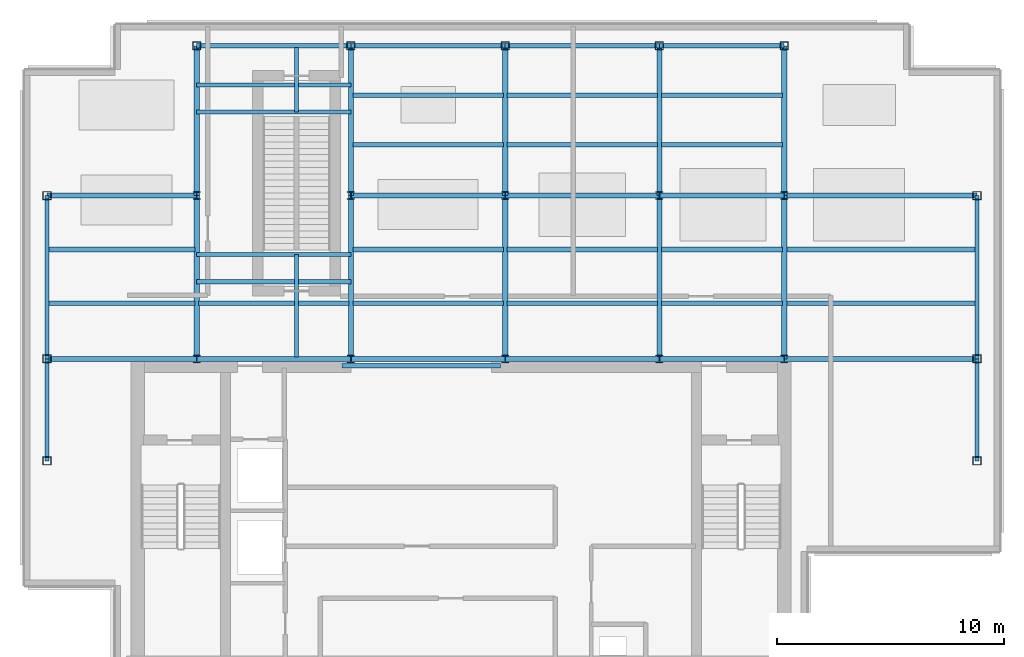
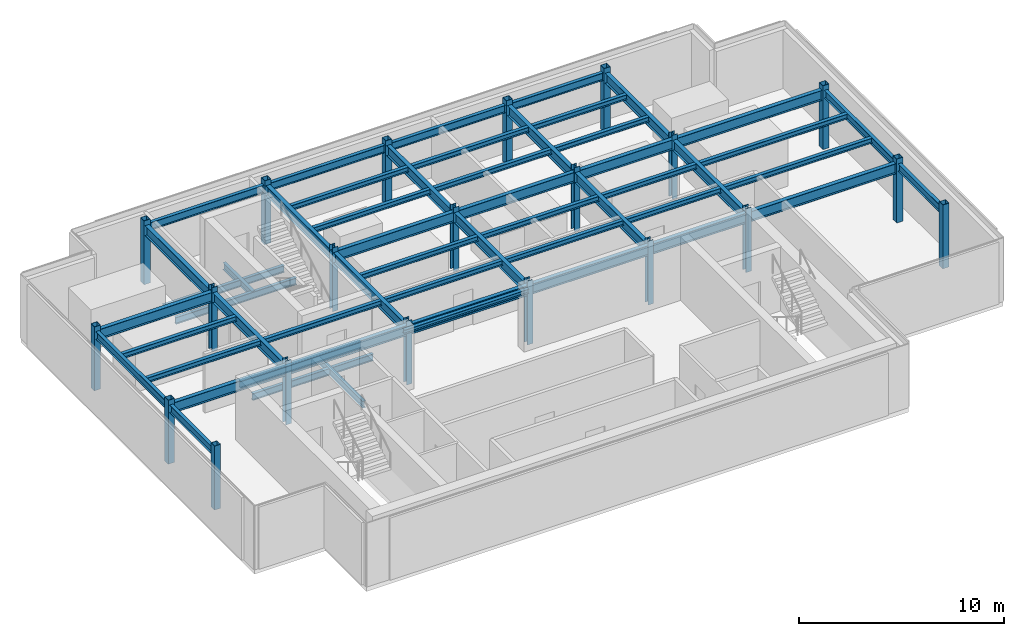
# One storey, part 1 of 7: 53 beams, 21 columns.
"""IFC4 building model written with IfcOpenShell, lengths in metres."""

from ifc_helpers import new_model, si_unit, derived_unit, direction, frame, origin, origin_2d, place, context, subcontext, project, spatial, hollow_rectangle, i_section, extrude, source, transform, mapped, material, material_profile, profile_set, type_object, element, save


model = new_model("IFC4")

# Units and contexts
model_context = context("Model", 3, precision=1e-05, world=origin(), true_north=direction((0.0, 1.0)))
body_context = subcontext(model_context, "Body", "Model", "MODEL_VIEW")
ifc_project = project(units=[si_unit("LENGTHUNIT", "METRE"), si_unit("AREAUNIT", "SQUARE_METRE"), si_unit("VOLUMEUNIT", "CUBIC_METRE"), si_unit("PLANEANGLEUNIT", "RADIAN"), si_unit("MASSUNIT", "GRAM", prefix="KILO"), derived_unit("THERMALTRANSMITTANCEUNIT", [(si_unit("POWERUNIT", "WATT"), 1), (si_unit("LENGTHUNIT", "METRE"), -2), (si_unit("THERMODYNAMICTEMPERATUREUNIT", "KELVIN"), -1)])], contexts=[model_context])

# Site, building, storey
site_placement = place(None, origin())
site = spatial("IfcSite", under=ifc_project, at=site_placement, CompositionType="ELEMENT")
building_placement = place(site_placement, origin())
building = spatial("IfcBuilding", under=site, at=building_placement, Name="Skarnbrae Concourse Arena and Tower", CompositionType="ELEMENT")
storey_placement = place(building_placement, frame((0.0, 0.0, 296.050048828125)))
storey = spatial("IfcBuildingStorey", under=building, at=storey_placement, Name="L77", CompositionType="ELEMENT", Elevation=296.050048828125)

# Columns
ifc_material = material(Name="Steel CSA G40.21 350W", Category="steel")
ifc_material_profile_1 = material_profile(ifc_material, hollow_rectangle(XDim=0.355712890625, YDim=0.355712890625, WallThickness=0.01904296875, at=origin_2d()), Name="HSS356X356X19.0")
ifc_profile_set_1 = profile_set([ifc_material_profile_1], Name="Steel CSA G40.21 350W")
column_type_1 = type_object("IfcColumnType", Name="COL-CROWN-HSS356", PredefinedType="COLUMN", material=ifc_profile_set_1)
shared_shape_1 = source(origin(), body_context, "Body", "SweptSolid", [
    extrude(hollow_rectangle(XDim=0.355712890625, YDim=0.355712890625, WallThickness=0.01904296875, at=origin_2d()), origin(), (0.0, 0.0, 1.0), 3.800048828125),
])
for number, where, z_axis, x_axis, name in (
    (1, (1.0, 9.5, 0.0), (0.0, 0.0, 1.0), (1.0, 0.0, 0.0), "L77 Tower column PC_01_01"),
    (2, (1.0, 14.0, 0.0), (0.0, 0.0, 1.0), (1.0, 0.0, 0.0), "L77 Tower column PC_01_02"),
    (3, (1.0, 21.199951171875, 0.0), (0.0, 0.0, 1.0), (1.0, 0.0, 0.0), "L77 Tower column PC_01_03"),
    (4, (7.60009765625, 27.800048828125, 0.0), (0.0, 0.0, 1.0), (1.0, 0.0, 0.0), "L77 Tower column PC_02_04"),
    (5, (14.39990234375, 27.800048828125, 0.0), (0.0, 0.0, 1.0), (1.0, 0.0, 0.0), "L77 Tower column PC_03_04"),
    (6, (21.199951171875, 27.800048828125, 0.0), (0.0, 0.0, 1.0), (1.0, 0.0, 0.0), "L77 Tower column PC_04_04"),
    (7, (28.0, 27.800048828125, 0.0), (0.0, 0.0, 1.0), (1.0, 0.0, 0.0), "L77 Tower column PC_05_04"),
    (8, (33.5, 27.800048828125, 0.0), (0.0, 0.0, 1.0), (1.0, 0.0, 0.0), "L77 Tower column PC_06_04"),
    (9, (42.0, 9.5, 0.0), (0.0, 0.0, 1.0), (1.0, 0.0, 0.0), "L77 Tower column PC_07_01"),
    (10, (42.0, 14.0, 0.0), (0.0, 0.0, 1.0), (1.0, 0.0, 0.0), "L77 Tower column PC_07_02"),
    (11, (42.0, 21.199951171875, 0.0), (0.0, 0.0, 1.0), (1.0, 0.0, 0.0), "L77 Tower column PC_07_03"),
):
    element("IfcColumn", number, at=place(storey_placement, frame(where, z_axis=z_axis, x_axis=x_axis)), inside=storey, type_object=column_type_1, Name=name, PredefinedType="COLUMN", context=body_context, shape_type="MappedRepresentation", body=[
        mapped(shared_shape_1, transform((0.0, 0.0, 0.0))),
    ])
ifc_material_profile_2 = material_profile(ifc_material, i_section(OverallWidth=0.30908203125, OverallDepth=0.322998046875, WebThickness=0.013916015625, FlangeThickness=0.02294921875, at=origin_2d()), Name="W310X143")
ifc_profile_set_2 = profile_set([ifc_material_profile_2], Name="Steel CSA G40.21 350W")
column_type_2 = type_object("IfcColumnType", Name="COL-INT-W310X143", PredefinedType="COLUMN", material=ifc_profile_set_2)
shared_shape_2 = source(origin(), body_context, "Body", "SweptSolid", [
    extrude(i_section(OverallWidth=0.30908203125, OverallDepth=0.322998046875, WebThickness=0.013916015625, FlangeThickness=0.02294921875, at=origin_2d()), origin(), (0.0, 0.0, 1.0), 3.800048828125),
])
for number, where, z_axis, x_axis, name in (
    (12, (7.60009765625, 14.0, 0.0), (0.0, 0.0, 1.0), (1.0, 0.0, 0.0), "L77 Tower column IC_02_02"),
    (13, (7.60009765625, 21.199951171875, 0.0), (0.0, 0.0, 1.0), (1.0, 0.0, 0.0), "L77 Tower column IC_02_03"),
    (14, (14.39990234375, 14.0, 0.0), (0.0, 0.0, 1.0), (1.0, 0.0, 0.0), "L77 Tower column IC_03_02"),
    (15, (14.39990234375, 21.199951171875, 0.0), (0.0, 0.0, 1.0), (1.0, 0.0, 0.0), "L77 Tower column IC_03_03"),
    (16, (21.199951171875, 14.0, 0.0), (0.0, 0.0, 1.0), (1.0, 0.0, 0.0), "L77 Tower column IC_04_02"),
    (17, (21.199951171875, 21.199951171875, 0.0), (0.0, 0.0, 1.0), (1.0, 0.0, 0.0), "L77 Tower column IC_04_03"),
    (18, (28.0, 14.0, 0.0), (0.0, 0.0, 1.0), (1.0, 0.0, 0.0), "L77 Tower column IC_05_02"),
    (19, (28.0, 21.199951171875, 0.0), (0.0, 0.0, 1.0), (1.0, 0.0, 0.0), "L77 Tower column IC_05_03"),
    (20, (33.5, 14.0, 0.0), (0.0, 0.0, 1.0), (1.0, 0.0, 0.0), "L77 Tower column IC_06_02"),
    (21, (33.5, 21.199951171875, 0.0), (0.0, 0.0, 1.0), (1.0, 0.0, 0.0), "L77 Tower column IC_06_03"),
):
    element("IfcColumn", number, at=place(storey_placement, frame(where, z_axis=z_axis, x_axis=x_axis)), inside=storey, type_object=column_type_2, Name=name, PredefinedType="COLUMN", context=body_context, shape_type="MappedRepresentation", body=[
        mapped(shared_shape_2, transform((0.0, 0.0, 0.0))),
    ])

# Beams
ifc_material_profile_3 = material_profile(ifc_material, i_section(OverallWidth=0.202880859375, OverallDepth=0.251953125, WebThickness=0.008056640625, FlangeThickness=0.013427734375, at=origin_2d()), Name="W250X58")
ifc_profile_set_3 = profile_set([ifc_material_profile_3], Name="Steel CSA G40.21 350W")
beam_type_1 = type_object("IfcBeamType", Name="BM-LINTEL-W250X58", PredefinedType="LINTEL", material=ifc_profile_set_3)
shared_shape_3 = source(origin(), body_context, "Body", "SweptSolid", [
    extrude(i_section(OverallWidth=0.202880859375, OverallDepth=0.251953125, WebThickness=0.008056640625, FlangeThickness=0.013427734375, at=origin_2d()), origin(), (0.0, 0.0, 1.0), 7.0),
])
beam_1_placement = place(storey_placement, frame((14.0, 13.699951171875, 3.3740234375), z_axis=(1.0, 0.0, 0.0), x_axis=(0.0, 1.0, 0.0)))
element("IfcBeam", 22, at=beam_1_placement, inside=storey, type_object=beam_type_1, Name="L77 Core portal coupling lintel", PredefinedType="LINTEL", context=body_context, shape_type="MappedRepresentation", body=[
    mapped(shared_shape_3, transform((0.0, 0.0, 0.0))),
])
ifc_material_profile_4 = material_profile(ifc_material, i_section(OverallWidth=0.22802734375, OverallDepth=0.60791015625, WebThickness=0.01123046875, FlangeThickness=0.017333984375, at=origin_2d()), Name="W610X113")
ifc_profile_set_4 = profile_set([ifc_material_profile_4], Name="Steel CSA G40.21 350W")
beam_type_2 = type_object("IfcBeamType", Name="BM-GIRD-W610X113", PredefinedType="BEAM", material=ifc_profile_set_4)
shared_shape_4 = source(origin(), body_context, "Body", "SweptSolid", [
    extrude(i_section(OverallWidth=0.22802734375, OverallDepth=0.60791015625, WebThickness=0.01123046875, FlangeThickness=0.017333984375, at=origin_2d()), origin(), (0.0, 0.0, 1.0), 6.60009765625),
])
for number, where, z_axis, x_axis, name in (
    (23, (1.0, 14.0, 3.196044921875), (1.0, 0.0, 0.0), (0.0, 1.0, 0.0), "L77 Primary E-W girder Y14.0-1"),
    (24, (1.0, 21.199951171875, 3.196044921875), (1.0, 0.0, 0.0), (0.0, 1.0, 0.0), "L77 Primary E-W girder Y21.2-1"),
    (25, (7.60009765625, 21.199951171875, 3.196044921875), (0.0, 1.0, 0.0), (-1.0, 0.0, 0.0), "L77 Primary N-S girder X7.6-2"),
    (26, (14.39990234375, 21.199951171875, 3.196044921875), (0.0, 1.0, 0.0), (-1.0, 0.0, 0.0), "L77 Primary N-S girder X14.4-2"),
    (27, (21.199951171875, 21.199951171875, 3.196044921875), (0.0, 1.0, 0.0), (-1.0, 0.0, 0.0), "L77 Primary N-S girder X21.2-2"),
    (28, (28.0, 21.199951171875, 3.196044921875), (0.0, 1.0, 0.0), (-1.0, 0.0, 0.0), "L77 Primary N-S girder X28.0-2"),
    (29, (33.5, 21.199951171875, 3.196044921875), (0.0, 1.0, 0.0), (-1.0, 0.0, 0.0), "L77 Primary N-S girder X33.5-2"),
):
    element("IfcBeam", number, at=place(storey_placement, frame(where, z_axis=z_axis, x_axis=x_axis)), inside=storey, type_object=beam_type_2, Name=name, PredefinedType="BEAM", context=body_context, shape_type="MappedRepresentation", body=[
        mapped(shared_shape_4, transform((0.0, 0.0, 0.0))),
    ])
shared_shape_5 = source(origin(), body_context, "Body", "SweptSolid", [
    extrude(i_section(OverallWidth=0.22802734375, OverallDepth=0.60791015625, WebThickness=0.01123046875, FlangeThickness=0.017333984375, at=origin_2d()), origin(), (0.0, 0.0, 1.0), 6.7998046875),
])
beam_2_placement = place(storey_placement, frame((7.60009765625, 14.0, 3.196044921875), z_axis=(1.0, 0.0, 0.0), x_axis=(0.0, 1.0, 0.0)))
element("IfcBeam", 30, at=beam_2_placement, inside=storey, type_object=beam_type_2, Name="L77 Primary E-W girder Y14.0-2", PredefinedType="BEAM", context=body_context, shape_type="MappedRepresentation", body=[
    mapped(shared_shape_5, transform((0.0, 0.0, 0.0))),
])
shared_shape_6 = source(origin(), body_context, "Body", "SweptSolid", [
    extrude(i_section(OverallWidth=0.22802734375, OverallDepth=0.60791015625, WebThickness=0.01123046875, FlangeThickness=0.017333984375, at=origin_2d()), origin(), (0.0, 0.0, 1.0), 6.800048828125),
])
for number, where, z_axis, x_axis, name in (
    (31, (14.39990234375, 14.0, 3.196044921875), (1.0, 0.0, 0.0), (0.0, 1.0, 0.0), "L77 Primary E-W girder Y14.0-3"),
    (32, (21.199951171875, 14.0, 3.196044921875), (1.0, 0.0, 0.0), (0.0, 1.0, 0.0), "L77 Primary E-W girder Y14.0-4"),
    (33, (14.39990234375, 21.199951171875, 3.196044921875), (1.0, 0.0, 0.0), (0.0, 1.0, 0.0), "L77 Primary E-W girder Y21.2-3"),
    (34, (21.199951171875, 21.199951171875, 3.196044921875), (1.0, 0.0, 0.0), (0.0, 1.0, 0.0), "L77 Primary E-W girder Y21.2-4"),
):
    element("IfcBeam", number, at=place(storey_placement, frame(where, z_axis=z_axis, x_axis=x_axis)), inside=storey, type_object=beam_type_2, Name=name, PredefinedType="BEAM", context=body_context, shape_type="MappedRepresentation", body=[
        mapped(shared_shape_6, transform((0.0, 0.0, 0.0))),
    ])
shared_shape_7 = source(origin(), body_context, "Body", "SweptSolid", [
    extrude(i_section(OverallWidth=0.22802734375, OverallDepth=0.60791015625, WebThickness=0.01123046875, FlangeThickness=0.017333984375, at=origin_2d()), origin(), (0.0, 0.0, 1.0), 5.5),
])
for number, where, z_axis, x_axis, name in (
    (35, (28.0, 14.0, 3.196044921875), (1.0, 0.0, 0.0), (0.0, 1.0, 0.0), "L77 Primary E-W girder Y14.0-5"),
    (36, (28.0, 21.199951171875, 3.196044921875), (1.0, 0.0, 0.0), (0.0, 1.0, 0.0), "L77 Primary E-W girder Y21.2-5"),
):
    element("IfcBeam", number, at=place(storey_placement, frame(where, z_axis=z_axis, x_axis=x_axis)), inside=storey, type_object=beam_type_2, Name=name, PredefinedType="BEAM", context=body_context, shape_type="MappedRepresentation", body=[
        mapped(shared_shape_7, transform((0.0, 0.0, 0.0))),
    ])
shared_shape_8 = source(origin(), body_context, "Body", "SweptSolid", [
    extrude(i_section(OverallWidth=0.22802734375, OverallDepth=0.60791015625, WebThickness=0.01123046875, FlangeThickness=0.017333984375, at=origin_2d()), origin(), (0.0, 0.0, 1.0), 8.5),
])
for number, where, z_axis, x_axis, name in (
    (37, (33.5, 14.0, 3.196044921875), (1.0, 0.0, 0.0), (0.0, 1.0, 0.0), "L77 Primary E-W girder Y14.0-6"),
    (38, (33.5, 21.199951171875, 3.196044921875), (1.0, 0.0, 0.0), (0.0, 1.0, 0.0), "L77 Primary E-W girder Y21.2-6"),
):
    element("IfcBeam", number, at=place(storey_placement, frame(where, z_axis=z_axis, x_axis=x_axis)), inside=storey, type_object=beam_type_2, Name=name, PredefinedType="BEAM", context=body_context, shape_type="MappedRepresentation", body=[
        mapped(shared_shape_8, transform((0.0, 0.0, 0.0))),
    ])
ifc_material_profile_5 = material_profile(ifc_material, i_section(OverallWidth=0.19091796875, OverallDepth=0.4599609375, WebThickness=0.010009765625, FlangeThickness=0.01611328125, at=origin_2d()), Name="W460X82")
ifc_profile_set_5 = profile_set([ifc_material_profile_5], Name="Steel CSA G40.21 350W")
beam_type_3 = type_object("IfcBeamType", Name="BM-SPAN-W460X82", PredefinedType="SPANDREL", material=ifc_profile_set_5)
shared_shape_9 = source(origin(), body_context, "Body", "SweptSolid", [
    extrude(i_section(OverallWidth=0.19091796875, OverallDepth=0.4599609375, WebThickness=0.010009765625, FlangeThickness=0.01611328125, at=origin_2d()), origin(), (0.0, 0.0, 1.0), 6.7998046875),
])
beam_3_placement = place(storey_placement, frame((7.60009765625, 27.800048828125, 3.27001953125), z_axis=(1.0, 0.0, 0.0), x_axis=(0.0, 1.0, 0.0)))
element("IfcBeam", 39, at=beam_3_placement, inside=storey, type_object=beam_type_3, Name="L77 Perimeter spandrel Y27.8-1", PredefinedType="SPANDREL", context=body_context, shape_type="MappedRepresentation", body=[
    mapped(shared_shape_9, transform((0.0, 0.0, 0.0))),
])
shared_shape_10 = source(origin(), body_context, "Body", "SweptSolid", [
    extrude(i_section(OverallWidth=0.19091796875, OverallDepth=0.4599609375, WebThickness=0.010009765625, FlangeThickness=0.01611328125, at=origin_2d()), origin(), (0.0, 0.0, 1.0), 6.800048828125),
])
for number, where, z_axis, x_axis, name in (
    (40, (14.39990234375, 27.800048828125, 3.27001953125), (1.0, 0.0, 0.0), (0.0, 1.0, 0.0), "L77 Perimeter spandrel Y27.8-2"),
    (41, (21.199951171875, 27.800048828125, 3.27001953125), (1.0, 0.0, 0.0), (0.0, 1.0, 0.0), "L77 Perimeter spandrel Y27.8-3"),
):
    element("IfcBeam", number, at=place(storey_placement, frame(where, z_axis=z_axis, x_axis=x_axis)), inside=storey, type_object=beam_type_3, Name=name, PredefinedType="SPANDREL", context=body_context, shape_type="MappedRepresentation", body=[
        mapped(shared_shape_10, transform((0.0, 0.0, 0.0))),
    ])
shared_shape_11 = source(origin(), body_context, "Body", "SweptSolid", [
    extrude(i_section(OverallWidth=0.19091796875, OverallDepth=0.4599609375, WebThickness=0.010009765625, FlangeThickness=0.01611328125, at=origin_2d()), origin(), (0.0, 0.0, 1.0), 5.5),
])
beam_4_placement = place(storey_placement, frame((28.0, 27.800048828125, 3.27001953125), z_axis=(1.0, 0.0, 0.0), x_axis=(0.0, 1.0, 0.0)))
element("IfcBeam", 42, at=beam_4_placement, inside=storey, type_object=beam_type_3, Name="L77 Perimeter spandrel Y27.8-4", PredefinedType="SPANDREL", context=body_context, shape_type="MappedRepresentation", body=[
    mapped(shared_shape_11, transform((0.0, 0.0, 0.0))),
])
shared_shape_12 = source(origin(), body_context, "Body", "SweptSolid", [
    extrude(i_section(OverallWidth=0.19091796875, OverallDepth=0.4599609375, WebThickness=0.010009765625, FlangeThickness=0.01611328125, at=origin_2d()), origin(), (0.0, 0.0, 1.0), 4.5),
])
for number, where, z_axis, x_axis, name in (
    (43, (1.0, 9.5, 3.27001953125), (0.0, 1.0, 0.0), (-1.0, 0.0, 0.0), "L77 Perimeter spandrel X1.0-1"),
    (44, (42.0, 9.5, 3.27001953125), (0.0, 1.0, 0.0), (-1.0, 0.0, 0.0), "L77 Perimeter spandrel X42.0-1"),
):
    element("IfcBeam", number, at=place(storey_placement, frame(where, z_axis=z_axis, x_axis=x_axis)), inside=storey, type_object=beam_type_3, Name=name, PredefinedType="SPANDREL", context=body_context, shape_type="MappedRepresentation", body=[
        mapped(shared_shape_12, transform((0.0, 0.0, 0.0))),
    ])
shared_shape_13 = source(origin(), body_context, "Body", "SweptSolid", [
    extrude(i_section(OverallWidth=0.19091796875, OverallDepth=0.4599609375, WebThickness=0.010009765625, FlangeThickness=0.01611328125, at=origin_2d()), origin(), (0.0, 0.0, 1.0), 7.199951171875),
])
for number, where, z_axis, x_axis, name in (
    (45, (1.0, 14.0, 3.27001953125), (0.0, 1.0, 0.0), (-1.0, 0.0, 0.0), "L77 Perimeter spandrel X1.0-2"),
    (46, (42.0, 14.0, 3.27001953125), (0.0, 1.0, 0.0), (-1.0, 0.0, 0.0), "L77 Perimeter spandrel X42.0-2"),
):
    element("IfcBeam", number, at=place(storey_placement, frame(where, z_axis=z_axis, x_axis=x_axis)), inside=storey, type_object=beam_type_3, Name=name, PredefinedType="SPANDREL", context=body_context, shape_type="MappedRepresentation", body=[
        mapped(shared_shape_13, transform((0.0, 0.0, 0.0))),
    ])
shared_shape_14 = source(origin(), body_context, "Body", "SweptSolid", [
    extrude(i_section(OverallWidth=0.22802734375, OverallDepth=0.60791015625, WebThickness=0.01123046875, FlangeThickness=0.017333984375, at=origin_2d()), origin(), (0.0, 0.0, 1.0), 7.199951171875),
])
for number, where, z_axis, x_axis, name in (
    (47, (7.60009765625, 14.0, 3.196044921875), (0.0, 1.0, 0.0), (-1.0, 0.0, 0.0), "L77 Primary N-S girder X7.6-1"),
    (48, (14.39990234375, 14.0, 3.196044921875), (0.0, 1.0, 0.0), (-1.0, 0.0, 0.0), "L77 Primary N-S girder X14.4-1"),
    (49, (21.199951171875, 14.0, 3.196044921875), (0.0, 1.0, 0.0), (-1.0, 0.0, 0.0), "L77 Primary N-S girder X21.2-1"),
    (50, (28.0, 14.0, 3.196044921875), (0.0, 1.0, 0.0), (-1.0, 0.0, 0.0), "L77 Primary N-S girder X28.0-1"),
    (51, (33.5, 14.0, 3.196044921875), (0.0, 1.0, 0.0), (-1.0, 0.0, 0.0), "L77 Primary N-S girder X33.5-1"),
):
    element("IfcBeam", number, at=place(storey_placement, frame(where, z_axis=z_axis, x_axis=x_axis)), inside=storey, type_object=beam_type_2, Name=name, PredefinedType="BEAM", context=body_context, shape_type="MappedRepresentation", body=[
        mapped(shared_shape_14, transform((0.0, 0.0, 0.0))),
    ])
ifc_material_profile_6 = material_profile(ifc_material, i_section(OverallWidth=0.202880859375, OverallDepth=0.302978515625, WebThickness=0.007568359375, FlangeThickness=0.01318359375, at=origin_2d()), Name="W310X60")
ifc_profile_set_6 = profile_set([ifc_material_profile_6], Name="Steel CSA G40.21 350W")
beam_type_4 = type_object("IfcBeamType", Name="BM-JOIST-W310X60", PredefinedType="JOIST", material=ifc_profile_set_6)
shared_shape_15 = source(origin(), body_context, "Body", "SweptSolid", [
    extrude(i_section(OverallWidth=0.202880859375, OverallDepth=0.302978515625, WebThickness=0.007568359375, FlangeThickness=0.01318359375, at=origin_2d()), origin(), (0.0, 0.0, 1.0), 6.43994140625),
])
for number, where, z_axis, x_axis, name in (
    (52, (1.080078125, 16.447998046875, 3.348388671875), (1.0, 0.0, 0.0), (0.0, 1.0, 0.0), "L77 Secondary floor joist 1.1.1"),
    (53, (1.080078125, 18.823974609375, 3.348388671875), (1.0, 0.0, 0.0), (0.0, 1.0, 0.0), "L77 Secondary floor joist 1.2.1"),
):
    element("IfcBeam", number, at=place(storey_placement, frame(where, z_axis=z_axis, x_axis=x_axis)), inside=storey, type_object=beam_type_4, Name=name, PredefinedType="JOIST", context=body_context, shape_type="MappedRepresentation", body=[
        mapped(shared_shape_15, transform((0.0, 0.0, 0.0))),
    ])
shared_shape_16 = source(origin(), body_context, "Body", "SweptSolid", [
    extrude(i_section(OverallWidth=0.202880859375, OverallDepth=0.302978515625, WebThickness=0.007568359375, FlangeThickness=0.01318359375, at=origin_2d()), origin(), (0.0, 0.0, 1.0), 6.64013671875),
])
for number, where, z_axis, x_axis, name in (
    (54, (7.679931640625, 16.447998046875, 3.348388671875), (1.0, 0.0, 0.0), (0.0, 1.0, 0.0), "L77 Secondary floor joist 1.1.2"),
    (55, (14.47998046875, 16.447998046875, 3.348388671875), (1.0, 0.0, 0.0), (0.0, 1.0, 0.0), "L77 Secondary floor joist 1.1.3"),
    (56, (14.47998046875, 18.823974609375, 3.348388671875), (1.0, 0.0, 0.0), (0.0, 1.0, 0.0), "L77 Secondary floor joist 1.2.3"),
    (57, (14.47998046875, 23.444091796875, 3.348388671875), (1.0, 0.0, 0.0), (0.0, 1.0, 0.0), "L77 Secondary floor joist 2.1.2"),
    (58, (14.47998046875, 25.6220703125, 3.348388671875), (1.0, 0.0, 0.0), (0.0, 1.0, 0.0), "L77 Secondary floor joist 2.2.2"),
):
    element("IfcBeam", number, at=place(storey_placement, frame(where, z_axis=z_axis, x_axis=x_axis)), inside=storey, type_object=beam_type_4, Name=name, PredefinedType="JOIST", context=body_context, shape_type="MappedRepresentation", body=[
        mapped(shared_shape_16, transform((0.0, 0.0, 0.0))),
    ])
shared_shape_17 = source(origin(), body_context, "Body", "SweptSolid", [
    extrude(i_section(OverallWidth=0.202880859375, OverallDepth=0.302978515625, WebThickness=0.007568359375, FlangeThickness=0.01318359375, at=origin_2d()), origin(), (0.0, 0.0, 1.0), 6.639892578125),
])
for number, where, z_axis, x_axis, name in (
    (59, (21.280029296875, 16.447998046875, 3.348388671875), (1.0, 0.0, 0.0), (0.0, 1.0, 0.0), "L77 Secondary floor joist 1.1.4"),
    (60, (21.280029296875, 18.823974609375, 3.348388671875), (1.0, 0.0, 0.0), (0.0, 1.0, 0.0), "L77 Secondary floor joist 1.2.4"),
    (61, (21.280029296875, 23.444091796875, 3.348388671875), (1.0, 0.0, 0.0), (0.0, 1.0, 0.0), "L77 Secondary floor joist 2.1.3"),
    (62, (21.280029296875, 25.6220703125, 3.348388671875), (1.0, 0.0, 0.0), (0.0, 1.0, 0.0), "L77 Secondary floor joist 2.2.3"),
):
    element("IfcBeam", number, at=place(storey_placement, frame(where, z_axis=z_axis, x_axis=x_axis)), inside=storey, type_object=beam_type_4, Name=name, PredefinedType="JOIST", context=body_context, shape_type="MappedRepresentation", body=[
        mapped(shared_shape_17, transform((0.0, 0.0, 0.0))),
    ])
shared_shape_18 = source(origin(), body_context, "Body", "SweptSolid", [
    extrude(i_section(OverallWidth=0.202880859375, OverallDepth=0.302978515625, WebThickness=0.007568359375, FlangeThickness=0.01318359375, at=origin_2d()), origin(), (0.0, 0.0, 1.0), 5.33984375),
])
for number, where, z_axis, x_axis, name in (
    (63, (28.080078125, 16.447998046875, 3.348388671875), (1.0, 0.0, 0.0), (0.0, 1.0, 0.0), "L77 Secondary floor joist 1.1.5"),
    (64, (28.080078125, 18.823974609375, 3.348388671875), (1.0, 0.0, 0.0), (0.0, 1.0, 0.0), "L77 Secondary floor joist 1.2.5"),
    (65, (28.080078125, 23.444091796875, 3.348388671875), (1.0, 0.0, 0.0), (0.0, 1.0, 0.0), "L77 Secondary floor joist 2.1.4"),
    (66, (28.080078125, 25.6220703125, 3.348388671875), (1.0, 0.0, 0.0), (0.0, 1.0, 0.0), "L77 Secondary floor joist 2.2.4"),
):
    element("IfcBeam", number, at=place(storey_placement, frame(where, z_axis=z_axis, x_axis=x_axis)), inside=storey, type_object=beam_type_4, Name=name, PredefinedType="JOIST", context=body_context, shape_type="MappedRepresentation", body=[
        mapped(shared_shape_18, transform((0.0, 0.0, 0.0))),
    ])
shared_shape_19 = source(origin(), body_context, "Body", "SweptSolid", [
    extrude(i_section(OverallWidth=0.202880859375, OverallDepth=0.302978515625, WebThickness=0.007568359375, FlangeThickness=0.01318359375, at=origin_2d()), origin(), (0.0, 0.0, 1.0), 8.33984375),
])
for number, where, z_axis, x_axis, name in (
    (67, (33.580078125, 16.447998046875, 3.348388671875), (1.0, 0.0, 0.0), (0.0, 1.0, 0.0), "L77 Secondary floor joist 1.1.6"),
    (68, (33.580078125, 18.823974609375, 3.348388671875), (1.0, 0.0, 0.0), (0.0, 1.0, 0.0), "L77 Secondary floor joist 1.2.6"),
):
    element("IfcBeam", number, at=place(storey_placement, frame(where, z_axis=z_axis, x_axis=x_axis)), inside=storey, type_object=beam_type_4, Name=name, PredefinedType="JOIST", context=body_context, shape_type="MappedRepresentation", body=[
        mapped(shared_shape_19, transform((0.0, 0.0, 0.0))),
    ])
ifc_material_profile_7 = material_profile(ifc_material, i_section(OverallWidth=0.177978515625, OverallDepth=0.406982421875, WebThickness=0.0078125, FlangeThickness=0.0126953125, at=origin_2d()), Name="W410X60")
ifc_profile_set_7 = profile_set([ifc_material_profile_7], Name="Steel CSA G40.21 350W")
beam_type_5 = type_object("IfcBeamType", Name="BM-JOIST-W410X60", PredefinedType="JOIST", material=ifc_profile_set_7)
shared_shape_20 = source(origin(), body_context, "Body", "SweptSolid", [
    extrude(i_section(OverallWidth=0.177978515625, OverallDepth=0.406982421875, WebThickness=0.0078125, FlangeThickness=0.0126953125, at=origin_2d()), origin(), (0.0, 0.0, 1.0), 6.7998046875),
])
for number, where, z_axis, x_axis, name in (
    (69, (7.60009765625, 17.39990234375, -0.50146484375), (1.0, 0.0, 0.0), (0.0, 1.0, 0.0), "L77 Crown stair ST-CRWN E-W framing beam 1"),
    (70, (7.60009765625, 18.60009765625, -0.50146484375), (1.0, 0.0, 0.0), (0.0, 1.0, 0.0), "L77 Crown stair ST-CRWN E-W framing beam 2"),
    (71, (7.60009765625, 24.8798828125, -0.50146484375), (1.0, 0.0, 0.0), (0.0, 1.0, 0.0), "L77 Crown stair ST-CRWN E-W framing beam 3"),
    (72, (7.60009765625, 26.080078125, -0.50146484375), (1.0, 0.0, 0.0), (0.0, 1.0, 0.0), "L77 Crown stair ST-CRWN E-W framing beam 4"),
):
    element("IfcBeam", number, at=place(storey_placement, frame(where, z_axis=z_axis, x_axis=x_axis)), inside=storey, type_object=beam_type_5, Name=name, PredefinedType="JOIST", context=body_context, shape_type="MappedRepresentation", body=[
        mapped(shared_shape_20, transform((0.0, 0.0, 0.0))),
    ])
shared_shape_21 = source(origin(), body_context, "Body", "SweptSolid", [
    extrude(i_section(OverallWidth=0.177978515625, OverallDepth=0.406982421875, WebThickness=0.0078125, FlangeThickness=0.0126953125, at=origin_2d()), origin(), (0.0, 0.0, 1.0), 4.52001953125),
])
beam_5_placement = place(storey_placement, frame((12.0, 14.080078125, -0.50146484375), z_axis=(0.0, 1.0, 0.0), x_axis=(-1.0, 0.0, 0.0)))
element("IfcBeam", 73, at=beam_5_placement, inside=storey, type_object=beam_type_5, Name="L77 Crown stair ST-CRWN N-S framing beam 1", PredefinedType="JOIST", context=body_context, shape_type="MappedRepresentation", body=[
    mapped(shared_shape_21, transform((0.0, 0.0, 0.0))),
])
shared_shape_22 = source(origin(), body_context, "Body", "SweptSolid", [
    extrude(i_section(OverallWidth=0.177978515625, OverallDepth=0.406982421875, WebThickness=0.0078125, FlangeThickness=0.0126953125, at=origin_2d()), origin(), (0.0, 0.0, 1.0), 2.840087890625),
])
beam_6_placement = place(storey_placement, frame((12.0, 24.8798828125, -0.50146484375), z_axis=(0.0, 1.0, 0.0), x_axis=(-1.0, 0.0, 0.0)))
element("IfcBeam", 74, at=beam_6_placement, inside=storey, type_object=beam_type_5, Name="L77 Crown stair ST-CRWN N-S framing beam 2", PredefinedType="JOIST", context=body_context, shape_type="MappedRepresentation", body=[
    mapped(shared_shape_22, transform((0.0, 0.0, 0.0))),
])

save(model, "model.ifc")
